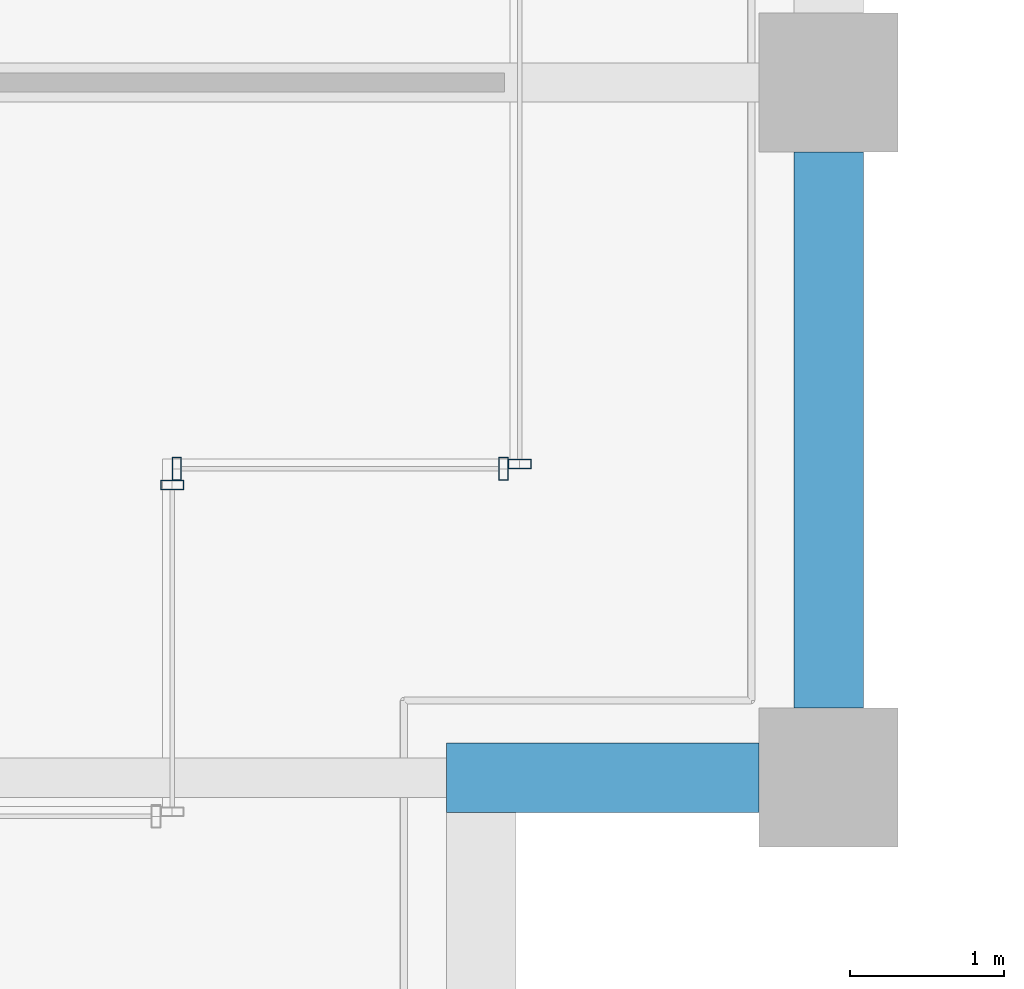
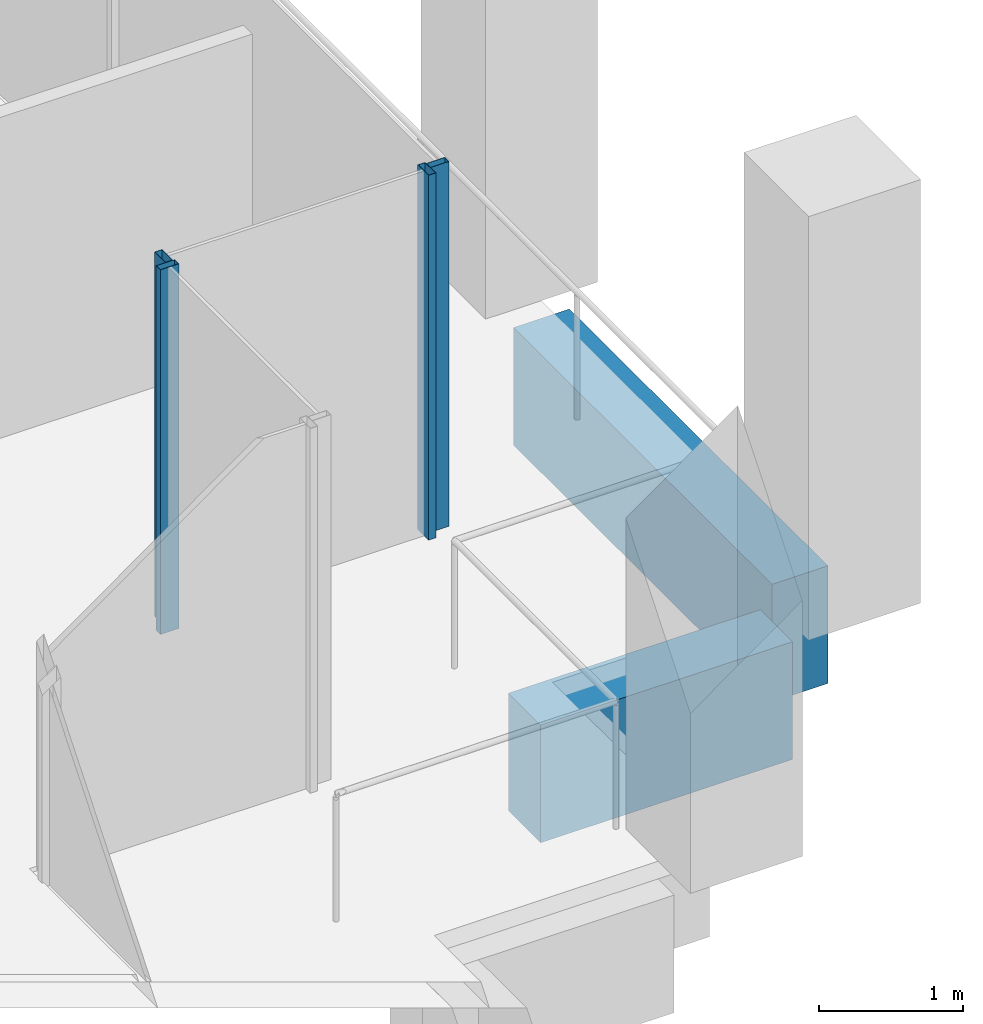
# One storey, part 13 of 40: 4 members, 2 beams, 3 elements without a shape of their own.
"""IFC4 building model written with IfcOpenShell, lengths in metres."""

from ifc_helpers import new_model, si_unit, direction, frame, origin, origin_2d, place, context, subcontext, project, spatial, rectangle, hollow_rectangle, extrude, material, material_profile, profile_set, type_object, element, aggregate, save


model = new_model("IFC4")

# Units and contexts
model_context = context("Model", 3, precision=1e-05, world=origin(), true_north=direction((0.0, 1.0)))
body_context = subcontext(model_context, "Body", "Model", "MODEL_VIEW")
ifc_project = project(units=[si_unit("LENGTHUNIT", "METRE"), si_unit("AREAUNIT", "SQUARE_METRE"), si_unit("VOLUMEUNIT", "CUBIC_METRE"), si_unit("PLANEANGLEUNIT", "RADIAN"), si_unit("MASSUNIT", "GRAM", prefix="KILO")], contexts=[model_context])

# Site, building, storey
site_placement = place(None, origin())
site = spatial("IfcSite", under=ifc_project, at=site_placement, CompositionType="ELEMENT")
building_placement = place(site_placement, origin())
building = spatial("IfcBuilding", under=site, at=building_placement, Name="Altepetl Exchange Towers", CompositionType="ELEMENT")
storey_placement = place(building_placement, frame((0.0, 0.0, 147.39990234375)))
storey = spatial("IfcBuildingStorey", under=building, at=storey_placement, Name="L36", CompositionType="ELEMENT", Elevation=147.39990234375)

# Curtain wall, member
ifc_material_1 = material(Name="Aluminium 6063-T6 glazing", Category="aluminium")
curtain_wall_type = type_object("IfcCurtainWallType", Name="Loggia glazing system", PredefinedType="NOTDEFINED", material=ifc_material_1)
curtain_wall_1_placement = place(storey_placement, origin())
curtain_wall_1 = element("IfcCurtainWall", 1, at=curtain_wall_1_placement, inside=storey, type_object=curtain_wall_type, Name="CW1 run", PredefinedType="NOTDEFINED")
ifc_material_2 = material(Name="Aluminium 6063-T6", Category="aluminium")
ifc_material_profile_1 = material_profile(ifc_material_2, hollow_rectangle(XDim=0.06005859375, YDim=0.14990234375, WallThickness=0.0029296875, at=origin_2d()), Name="Mullion 60x150 aluminium")
ifc_profile_set_1 = profile_set([ifc_material_profile_1], Name="Aluminium 6063-T6")
member_type = type_object("IfcMemberType", Name="Mullion 60x150 aluminium", PredefinedType="MULLION", material=ifc_profile_set_1)
member_1_placement = place(storey_placement, frame((67.75, 33.39501953125, 0.0), z_axis=(0.0, 0.0, 1.0), x_axis=(0.0, 1.0, 0.0)))
member_1 = element("IfcMember", 2, at=member_1_placement, type_object=member_type, Name="MU1 mullion", PredefinedType="MULLION", context=body_context, shape_type="SweptSolid", body=[
    extrude(hollow_rectangle(XDim=0.06005859375, YDim=0.14990234375, WallThickness=0.0029296875, at=origin_2d()), origin(), (0.0, 0.0, 1.0), 3.10009765625),
])
aggregate(curtain_wall_1, [member_1])

# Curtain wall, members
curtain_wall_2_placement = place(storey_placement, origin())
curtain_wall_2 = element("IfcCurtainWall", 3, at=curtain_wall_2_placement, inside=storey, type_object=curtain_wall_type, Name="CW1 run", PredefinedType="NOTDEFINED")
member_2_placement = place(storey_placement, frame((67.780029296875, 33.5, 0.0)))
member_2 = element("IfcMember", 4, at=member_2_placement, type_object=member_type, Name="MU1 mullion", PredefinedType="MULLION", context=body_context, shape_type="SweptSolid", body=[
    extrude(hollow_rectangle(XDim=0.06005859375, YDim=0.14990234375, WallThickness=0.0029296875, at=origin_2d()), origin(), (0.0, 0.0, 1.0), 3.10009765625),
])
member_3_placement = place(storey_placement, frame((69.89501953125, 33.5, 0.0)))
member_3 = element("IfcMember", 5, at=member_3_placement, type_object=member_type, Name="MU1 mullion", PredefinedType="MULLION", context=body_context, shape_type="SweptSolid", body=[
    extrude(hollow_rectangle(XDim=0.06005859375, YDim=0.14990234375, WallThickness=0.0029296875, at=origin_2d()), origin(), (0.0, 0.0, 1.0), 3.10009765625),
])
aggregate(curtain_wall_2, [member_2, member_3])

# Curtain wall, member
curtain_wall_3_placement = place(storey_placement, origin())
curtain_wall_3 = element("IfcCurtainWall", 6, at=curtain_wall_3_placement, inside=storey, type_object=curtain_wall_type, Name="CW1 run", PredefinedType="NOTDEFINED")
member_4_placement = place(storey_placement, frame((70.0, 33.530029296875, 0.0), z_axis=(0.0, 0.0, 1.0), x_axis=(0.0, 1.0, 0.0)))
member_4 = element("IfcMember", 7, at=member_4_placement, type_object=member_type, Name="MU1 mullion", PredefinedType="MULLION", context=body_context, shape_type="SweptSolid", body=[
    extrude(hollow_rectangle(XDim=0.06005859375, YDim=0.14990234375, WallThickness=0.0029296875, at=origin_2d()), origin(), (0.0, 0.0, 1.0), 3.10009765625),
])
aggregate(curtain_wall_3, [member_4])

# Beams
ifc_material_3 = material(Name="Concrete C50/60 precast with cantera amarilla facing", Category="concrete")
ifc_material_profile_2 = material_profile(ifc_material_3, rectangle(XDim=0.449951171875, YDim=1.0, at=origin_2d()), Name="450 x 1000")
ifc_profile_set_2 = profile_set([ifc_material_profile_2], Name="Concrete C50/60 precast with cantera amarilla facing")
beam_type = type_object("IfcBeamType", Name="Spandrel beam 450x1000 cantera amarilla", PredefinedType="SPANDREL", material=ifc_profile_set_2)
beam_1_placement = place(storey_placement, frame((69.52490234375, 31.5, -0.64990234375), z_axis=(1.0, 0.0, 0.0), x_axis=(0.0, 1.0, 0.0)))
element("IfcBeam", 8, at=beam_1_placement, inside=storey, type_object=beam_type, Name="sp:A:L36:011", PredefinedType="SPANDREL", context=body_context, shape_type="SweptSolid", body=[
    extrude(rectangle(XDim=0.449951171875, YDim=1.0, at=origin_2d()), origin(), (0.0, 0.0, 1.0), 2.025146484375),
])
beam_2_placement = place(storey_placement, frame((72.0, 31.949951171875, -0.64990234375), z_axis=(0.0, 1.0, 0.0), x_axis=(-1.0, 0.0, 0.0)))
element("IfcBeam", 9, at=beam_2_placement, inside=storey, type_object=beam_type, Name="sp:A:L36:012", PredefinedType="SPANDREL", context=body_context, shape_type="SweptSolid", body=[
    extrude(rectangle(XDim=0.449951171875, YDim=1.0, at=origin_2d()), origin(), (0.0, 0.0, 1.0), 3.60009765625),
])

save(model, "model.ifc")
